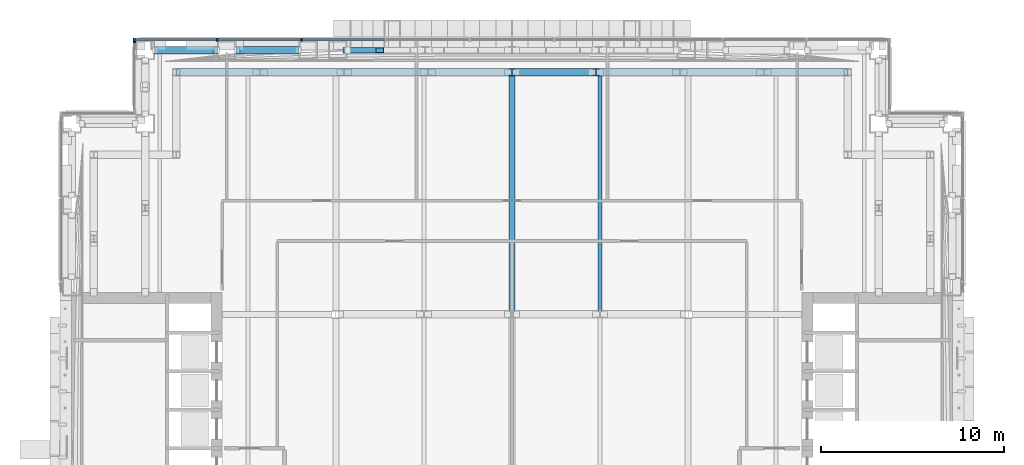
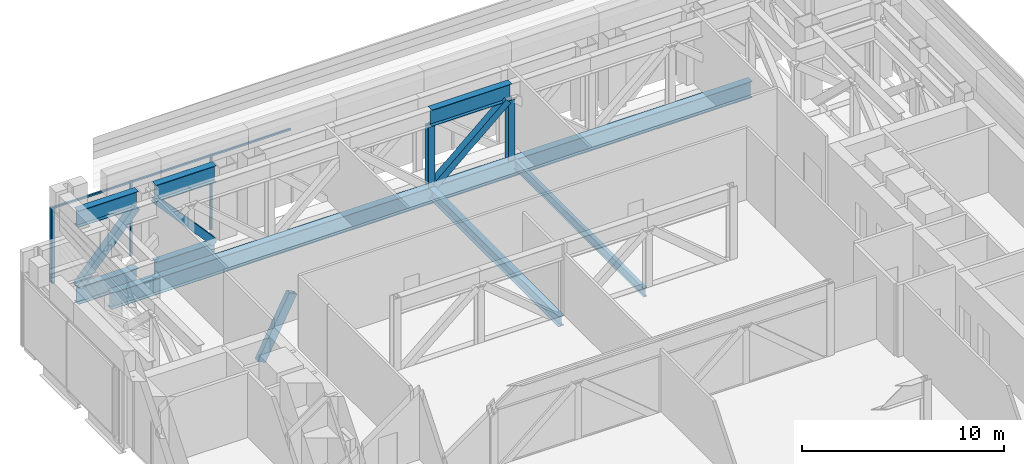
# One storey, part 8 of 39: 18 members, 3 beams, 2 elements without a shape of their own.
"""IFC4 building model written with IfcOpenShell, lengths in metres."""

from ifc_helpers import new_model, si_unit, direction, frame, origin, origin_2d, place, context, subcontext, project, spatial, rectangle, hollow_rectangle, i_section, extrude, material, material_profile, profile_set, type_object, element, aggregate, save


model = new_model("IFC4")

# Units and contexts
model_context = context("Model", 3, precision=1e-05, world=origin(), true_north=direction((0.0, 1.0)))
body_context = subcontext(model_context, "Body", "Model", "MODEL_VIEW")
ifc_project = project(units=[si_unit("LENGTHUNIT", "METRE"), si_unit("AREAUNIT", "SQUARE_METRE"), si_unit("VOLUMEUNIT", "CUBIC_METRE"), si_unit("PLANEANGLEUNIT", "RADIAN"), si_unit("MASSUNIT", "GRAM", prefix="KILO")], contexts=[model_context])

# Site, building, storey
site_placement = place(None, origin())
site = spatial("IfcSite", under=ifc_project, at=site_placement, CompositionType="ELEMENT")
building_placement = place(site_placement, origin())
building = spatial("IfcBuilding", under=site, at=building_placement, Name="Cobrizo Arcos Hotel Tower", CompositionType="ELEMENT")
storey_placement = place(building_placement, frame((0.0, 0.0, 84.5)))
storey = spatial("IfcBuildingStorey", under=building, at=storey_placement, Name="L20", CompositionType="ELEMENT", Elevation=84.5)

# Beam
ifc_material_1 = material(Name="Steel ASTM A572 Grade 50", Category="steel")
ifc_material_profile_1 = material_profile(ifc_material_1, hollow_rectangle(XDim=0.300048828125, YDim=0.5, WallThickness=0.02001953125, at=origin_2d()), Name="BOX 300X500X20")
ifc_profile_set_1 = profile_set([ifc_material_profile_1], Name="Steel ASTM A572 Grade 50")
beam_type_1 = type_object("IfcBeamType", Name="BOX 300X500X20 arch rib", PredefinedType="BEAM", material=ifc_profile_set_1)
beam_1_placement = place(storey_placement, frame((-9.0, 24.0, -8.460205078125), z_axis=(0.455923660176, 0.0, 0.890018885245), x_axis=(0.0, 1.0, 0.0)))
element("IfcBeam", 1, at=beam_1_placement, inside=storey, type_object=beam_type_1, Name="Arch rib AR1, arch A, north face, no. 01", PredefinedType="BEAM", context=body_context, shape_type="SweptSolid", body=[
    extrude(hollow_rectangle(XDim=0.300048828125, YDim=0.5, WallThickness=0.02001953125, at=origin_2d()), origin(), (0.0, 0.0, 1.0), 3.9482421875),
])

# Curtain wall, members
ifc_material_2 = material(Name="Aluminium 6063-T6 anodised bronze", Category="aluminium")
curtain_wall_type = type_object("IfcCurtainWallType", Name="CW-D plant louvre wall", PredefinedType="NOTDEFINED", material=ifc_material_2)
curtain_wall_1_placement = place(storey_placement, origin())
curtain_wall_1 = element("IfcCurtainWall", 2, at=curtain_wall_1_placement, inside=storey, type_object=curtain_wall_type, Name="CW-D L20 N face", PredefinedType="NOTDEFINED")
ifc_material_profile_2 = material_profile(ifc_material_2, rectangle(XDim=0.14990234375, YDim=0.10009765625, at=origin_2d()), Name="CW-D mullion 150x100")
ifc_profile_set_2 = profile_set([ifc_material_profile_2], Name="Aluminium 6063-T6 anodised bronze")
member_type_1 = type_object("IfcMemberType", Name="CW-D mullion 150x100", PredefinedType="MULLION", material=ifc_profile_set_2)
member_1_placement = place(storey_placement, frame((-11.47216796875, 24.574951171875, 0.0), z_axis=(0.0, 0.0, 1.0), x_axis=(0.0, 1.0, 0.0)))
member_1 = element("IfcMember", 3, at=member_1_placement, type_object=member_type_1, Name="CW-D mullion 8", PredefinedType="MULLION", context=body_context, shape_type="SweptSolid", body=[
    extrude(rectangle(XDim=0.14990234375, YDim=0.10009765625, at=origin_2d()), origin(), (0.0, 0.0, 1.0), 4.5),
])
member_2_placement = place(storey_placement, frame((-16.06103515625, 24.574951171875, 0.0), z_axis=(0.0, 0.0, 1.0), x_axis=(0.0, 1.0, 0.0)))
member_2 = element("IfcMember", 4, at=member_2_placement, type_object=member_type_1, Name="CW-D mullion 9", PredefinedType="MULLION", context=body_context, shape_type="SweptSolid", body=[
    extrude(rectangle(XDim=0.14990234375, YDim=0.10009765625, at=origin_2d()), origin(), (0.0, 0.0, 1.0), 4.5),
])
member_3_placement = place(storey_placement, frame((-20.60009765625, 24.574951171875, 0.0), z_axis=(0.0, 0.0, 1.0), x_axis=(0.0, 1.0, 0.0)))
member_3 = element("IfcMember", 5, at=member_3_placement, type_object=member_type_1, Name="CW-D mullion 10", PredefinedType="MULLION", context=body_context, shape_type="SweptSolid", body=[
    extrude(rectangle(XDim=0.14990234375, YDim=0.10009765625, at=origin_2d()), origin(), (0.0, 0.0, 1.0), 4.5),
])

# Curtain wall, member
curtain_wall_2_placement = place(storey_placement, origin())
curtain_wall_2 = element("IfcCurtainWall", 6, at=curtain_wall_2_placement, inside=storey, type_object=curtain_wall_type, Name="CW-D L20 W face", PredefinedType="NOTDEFINED")
member_4_placement = place(storey_placement, frame((-20.574951171875, 24.449951171875, 0.0), z_axis=(0.0, 0.0, 1.0), x_axis=(-1.0, 0.0, 0.0)))
member_4 = element("IfcMember", 7, at=member_4_placement, type_object=member_type_1, Name="CW-D mullion 1", PredefinedType="MULLION", context=body_context, shape_type="SweptSolid", body=[
    extrude(rectangle(XDim=0.14990234375, YDim=0.10009765625, at=origin_2d()), origin(), (0.0, 0.0, 1.0), 4.5),
])
aggregate(curtain_wall_2, [member_4])

# Member
ifc_material_profile_3 = material_profile(ifc_material_2, rectangle(XDim=0.10009765625, YDim=0.10009765625, at=origin_2d()), Name="CW-D transom 100x100")
ifc_profile_set_3 = profile_set([ifc_material_profile_3], Name="Aluminium 6063-T6 anodised bronze")
member_type_2 = type_object("IfcMemberType", Name="CW-D transom 100x100", PredefinedType="USERDEFINED", material=ifc_profile_set_3)
member_5_placement = place(storey_placement, frame((-6.933349609375, 24.574951171875, 4.449951171875), z_axis=(-1.0, 0.0, 0.0), x_axis=(0.0, -1.0, 0.0)))
member_5 = element("IfcMember", 8, at=member_5_placement, type_object=member_type_2, Name="CW-D transom 838", ObjectType="TRANSOM", PredefinedType="USERDEFINED", context=body_context, shape_type="SweptSolid", body=[
    extrude(rectangle(XDim=0.10009765625, YDim=0.10009765625, at=origin_2d()), origin(), (0.0, 0.0, 1.0), 4.48876953125),
])

member_6_placement = place(storey_placement, frame((-11.522216796875, 24.574951171875, 4.449951171875), z_axis=(-1.0, 0.0, 0.0), x_axis=(0.0, -1.0, 0.0)))
member_6 = element("IfcMember", 9, at=member_6_placement, type_object=member_type_2, Name="CW-D transom 839", ObjectType="TRANSOM", PredefinedType="USERDEFINED", context=body_context, shape_type="SweptSolid", body=[
    extrude(rectangle(XDim=0.10009765625, YDim=0.10009765625, at=origin_2d()), origin(), (0.0, 0.0, 1.0), 4.489013671875),
])

member_7_placement = place(storey_placement, frame((-16.111083984375, 24.574951171875, 4.449951171875), z_axis=(-1.0, 0.0, 0.0), x_axis=(0.0, -1.0, 0.0)))
member_7 = element("IfcMember", 10, at=member_7_placement, type_object=member_type_2, Name="CW-D transom 840", ObjectType="TRANSOM", PredefinedType="USERDEFINED", context=body_context, shape_type="SweptSolid", body=[
    extrude(rectangle(XDim=0.10009765625, YDim=0.10009765625, at=origin_2d()), origin(), (0.0, 0.0, 1.0), 4.43896484375),
])

aggregate(curtain_wall_1, [member_1, member_2, member_3, member_5, member_6, member_7])

# Members
ifc_material_3 = material(Name="Steel ASTM A500 Grade C", Category="steel")
ifc_material_profile_4 = material_profile(ifc_material_3, hollow_rectangle(XDim=0.406494140625, YDim=0.406494140625, WallThickness=0.014892578125, at=origin_2d()), Name="HSS16X16X5/8")
ifc_profile_set_4 = profile_set([ifc_material_profile_4], Name="Steel ASTM A500 Grade C")
member_type_3 = type_object("IfcMemberType", Name="HSS16X16X5/8 truss diagonal", PredefinedType="BRACE", material=ifc_profile_set_4)
member_8_placement = place(storey_placement, frame((-11.69091796875, 24.0, -0.300048828125), z_axis=(-0.668028893094, 0.0, 0.744135335804), x_axis=(0.0, -1.0, 0.0)))
element("IfcMember", 11, at=member_8_placement, inside=storey, type_object=member_type_3, Name="Belt truss diagonal TD1, L20, no. 023", PredefinedType="BRACE", context=body_context, shape_type="SweptSolid", body=[
    extrude(hollow_rectangle(XDim=0.406494140625, YDim=0.406494140625, WallThickness=0.014892578125, at=origin_2d()), origin(), (0.0, 0.0, 1.0), 4.917724609375),
])
member_9_placement = place(storey_placement, frame((-16.135986328125, 24.0, 3.359375), z_axis=(-0.667891406246, 0.0, -0.744258738251), x_axis=(0.0, -1.0, 0.0)))
element("IfcMember", 12, at=member_9_placement, inside=storey, type_object=member_type_3, Name="Belt truss diagonal TD1, L20, no. 024", PredefinedType="BRACE", context=body_context, shape_type="SweptSolid", body=[
    extrude(hollow_rectangle(XDim=0.406494140625, YDim=0.406494140625, WallThickness=0.014892578125, at=origin_2d()), origin(), (0.0, 0.0, 1.0), 4.9169921875),
])
member_10_placement = place(storey_placement, frame((4.375, 22.800048828125, 3.359375), z_axis=(-0.752017979383, 0.0, -0.65914259359), x_axis=(0.0, -1.0, 0.0)))
element("IfcMember", 13, at=member_10_placement, inside=storey, type_object=member_type_3, Name="Belt truss diagonal TD1, L20, no. 052", PredefinedType="BRACE", context=body_context, shape_type="SweptSolid", body=[
    extrude(hollow_rectangle(XDim=0.406494140625, YDim=0.406494140625, WallThickness=0.014892578125, at=origin_2d()), origin(), (0.0, 0.0, 1.0), 5.5517578125),
])
ifc_material_4 = material(Name="Steel ASTM A992 Grade 50", Category="steel")
ifc_material_profile_5 = material_profile(ifc_material_4, i_section(OverallWidth=0.373291015625, OverallDepth=0.373291015625, WebThickness=0.016357421875, FlangeThickness=0.026123046875, at=origin_2d()), Name="W14X132")
ifc_profile_set_5 = profile_set([ifc_material_profile_5], Name="Steel ASTM A992 Grade 50")
member_type_4 = type_object("IfcMemberType", Name="W14X132 truss post", PredefinedType="POST", material=ifc_profile_set_5)
for number, where, z_axis, x_axis, name in (
    (14, (4.574951171875, 22.800048828125, -0.300048828125), (0.0, 0.0, 1.0), (1.0, 0.0, 0.0), "Truss post TP1, L20, no. 025"),
    (15, (0.0, 22.800048828125, -0.300048828125), (0.0, 0.0, 1.0), (1.0, 0.0, 0.0), "Truss post TP1, L20, no. 026"),
):
    element("IfcMember", number, at=place(storey_placement, frame(where, z_axis=z_axis, x_axis=x_axis)), inside=storey, type_object=member_type_4, Name=name, PredefinedType="POST", context=body_context, shape_type="SweptSolid", body=[
        extrude(i_section(OverallWidth=0.373291015625, OverallDepth=0.373291015625, WebThickness=0.016357421875, FlangeThickness=0.026123046875, at=origin_2d()), origin(), (0.0, 0.0, 1.0), 3.659423828125),
    ])

# Beams
ifc_material_profile_6 = material_profile(ifc_material_4, i_section(OverallWidth=0.209228515625, OverallDepth=0.533447265625, WebThickness=0.01025390625, FlangeThickness=0.015625, at=origin_2d()), Name="W21X62")
ifc_profile_set_6 = profile_set([ifc_material_profile_6], Name="Steel ASTM A992 Grade 50")
beam_type_2 = type_object("IfcBeamType", Name="W21X62 joist", PredefinedType="JOIST", material=ifc_profile_set_6)
beam_2_placement = place(storey_placement, frame((4.800048828125, 9.800537109375, -0.566650390625), z_axis=(0.0, 1.0, 0.0), x_axis=(-1.0, 0.0, 0.0)))
element("IfcBeam", 16, at=beam_2_placement, inside=storey, type_object=beam_type_2, Name="Floor joist J1, L20, no. 016", PredefinedType="JOIST", context=body_context, shape_type="SweptSolid", body=[
    extrude(i_section(OverallWidth=0.209228515625, OverallDepth=0.533447265625, WebThickness=0.01025390625, FlangeThickness=0.015625, at=origin_2d()), origin(), (0.0, 0.0, 1.0), 12.799072265625),
])
ifc_material_profile_7 = material_profile(ifc_material_4, i_section(OverallWidth=0.32763671875, OverallDepth=0.622314453125, WebThickness=0.015380859375, FlangeThickness=0.0244140625, at=origin_2d()), Name="W24X131")
ifc_profile_set_7 = profile_set([ifc_material_profile_7], Name="Steel ASTM A992 Grade 50")
beam_type_3 = type_object("IfcBeamType", Name="W24X131 girder", PredefinedType="BEAM", material=ifc_profile_set_7)
beam_3_placement = place(storey_placement, frame((0.0, 9.800537109375, -0.611083984375), z_axis=(0.0, 1.0, 0.0), x_axis=(-1.0, 0.0, 0.0)))
element("IfcBeam", 17, at=beam_3_placement, inside=storey, type_object=beam_type_3, Name="Floor girder G1, L20, no. 014", PredefinedType="BEAM", context=body_context, shape_type="SweptSolid", body=[
    extrude(i_section(OverallWidth=0.32763671875, OverallDepth=0.622314453125, WebThickness=0.015380859375, FlangeThickness=0.0244140625, at=origin_2d()), origin(), (0.0, 0.0, 1.0), 12.799072265625),
])

# Members
ifc_material_profile_8 = material_profile(ifc_material_4, i_section(OverallWidth=0.4013671875, OverallDepth=0.990478515625, WebThickness=0.0166015625, FlangeThickness=0.025390625, at=origin_2d()), Name="W40X215")
ifc_profile_set_8 = profile_set([ifc_material_profile_8], Name="Steel ASTM A992 Grade 50")
member_type_5 = type_object("IfcMemberType", Name="W40X215 belt truss chord", PredefinedType="CHORD", material=ifc_profile_set_8)
member_11_placement = place(storey_placement, frame((-11.611083984375, 24.0, -0.79541015625), z_axis=(-1.0, 0.0, 0.0), x_axis=(0.0, -1.0, 0.0)))
element("IfcMember", 18, at=member_11_placement, inside=storey, type_object=member_type_5, Name="Belt truss bottom chord TC1, L20, no. 017", PredefinedType="CHORD", context=body_context, shape_type="SweptSolid", body=[
    extrude(i_section(OverallWidth=0.4013671875, OverallDepth=0.990478515625, WebThickness=0.0166015625, FlangeThickness=0.025390625, at=origin_2d()), origin(), (0.0, 0.0, 1.0), 3.44482421875),
])
member_12_placement = place(storey_placement, frame((-16.055908203125, 24.0, -0.79541015625), z_axis=(-1.0, 0.0, 0.0), x_axis=(0.0, -1.0, 0.0)))
element("IfcMember", 19, at=member_12_placement, inside=storey, type_object=member_type_5, Name="Belt truss bottom chord TC1, L20, no. 018", PredefinedType="CHORD", context=body_context, shape_type="SweptSolid", body=[
    extrude(i_section(OverallWidth=0.4013671875, OverallDepth=0.990478515625, WebThickness=0.0166015625, FlangeThickness=0.025390625, at=origin_2d()), origin(), (0.0, 0.0, 1.0), 3.444091796875),
])
member_13_placement = place(storey_placement, frame((-11.611083984375, 24.0, 3.854736328125), z_axis=(-1.0, 0.0, 0.0), x_axis=(0.0, -1.0, 0.0)))
element("IfcMember", 20, at=member_13_placement, inside=storey, type_object=member_type_5, Name="Belt truss top chord TC1, L20, no. 023", PredefinedType="CHORD", context=body_context, shape_type="SweptSolid", body=[
    extrude(i_section(OverallWidth=0.4013671875, OverallDepth=0.990478515625, WebThickness=0.0166015625, FlangeThickness=0.025390625, at=origin_2d()), origin(), (0.0, 0.0, 1.0), 3.44482421875),
])
member_14_placement = place(storey_placement, frame((-16.055908203125, 24.0, 3.854736328125), z_axis=(-1.0, 0.0, 0.0), x_axis=(0.0, -1.0, 0.0)))
element("IfcMember", 21, at=member_14_placement, inside=storey, type_object=member_type_5, Name="Belt truss top chord TC1, L20, no. 024", PredefinedType="CHORD", context=body_context, shape_type="SweptSolid", body=[
    extrude(i_section(OverallWidth=0.4013671875, OverallDepth=0.990478515625, WebThickness=0.0166015625, FlangeThickness=0.025390625, at=origin_2d()), origin(), (0.0, 0.0, 1.0), 3.444091796875),
])
member_15_placement = place(storey_placement, frame((18.300048828125, 22.800048828125, -0.79541015625), z_axis=(-1.0, 0.0, 0.0), x_axis=(0.0, -1.0, 0.0)))
element("IfcMember", 22, at=member_15_placement, inside=storey, type_object=member_type_5, Name="Belt truss bottom chord TC1, L20, no. 034", PredefinedType="CHORD", context=body_context, shape_type="SweptSolid", body=[
    extrude(i_section(OverallWidth=0.4013671875, OverallDepth=0.990478515625, WebThickness=0.0166015625, FlangeThickness=0.025390625, at=origin_2d()), origin(), (0.0, 0.0, 1.0), 36.60009765625),
])
member_16_placement = place(storey_placement, frame((4.574951171875, 22.800048828125, 3.854736328125), z_axis=(-1.0, 0.0, 0.0), x_axis=(0.0, -1.0, 0.0)))
element("IfcMember", 23, at=member_16_placement, inside=storey, type_object=member_type_5, Name="Belt truss top chord TC1, L20, no. 052", PredefinedType="CHORD", context=body_context, shape_type="SweptSolid", body=[
    extrude(i_section(OverallWidth=0.4013671875, OverallDepth=0.990478515625, WebThickness=0.0166015625, FlangeThickness=0.025390625, at=origin_2d()), origin(), (0.0, 0.0, 1.0), 4.574951171875),
])

save(model, "model.ifc")
